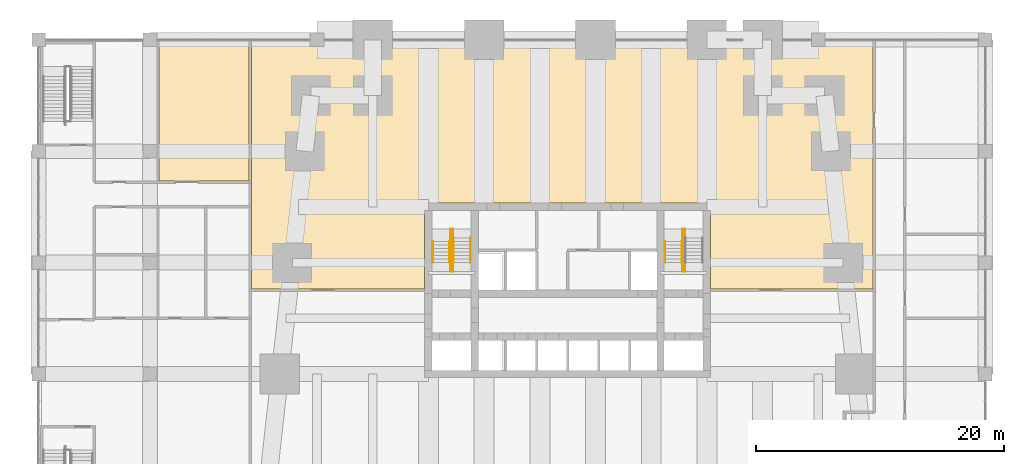
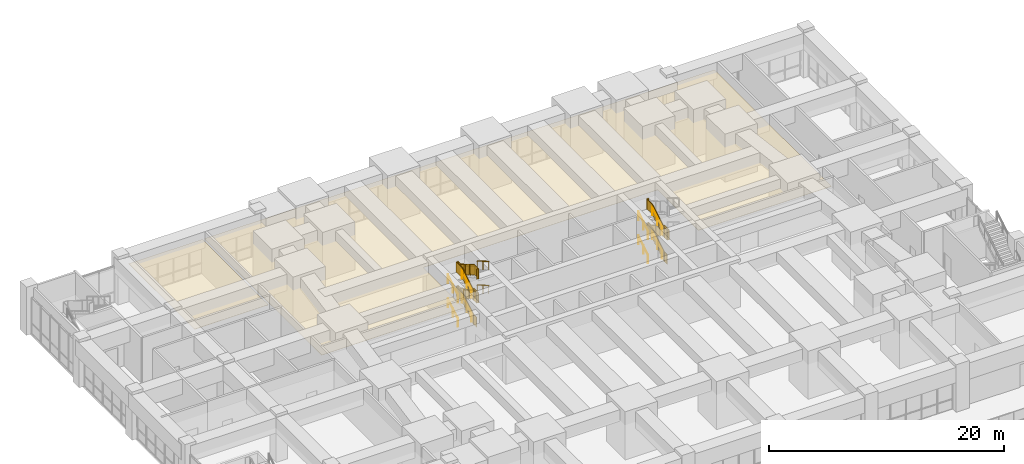
# One storey, part 26 of 27: 19 railings, 2 coverings.
"""IFC4 building model written with IfcOpenShell, lengths in metres."""

from ifc_helpers import new_model, si_unit, direction, frame, origin, origin_2d, place, context, subcontext, project, spatial, polyline, circle, outline, extrude, material, layer, layer_set, type_object, element, save


model = new_model("IFC4")

# Units and contexts
model_context = context("Model", 3, precision=1e-05, world=origin(), true_north=direction((0.0, 1.0)))
body_context = subcontext(model_context, "Body", "Model", "MODEL_VIEW")
ifc_project = project(units=[si_unit("LENGTHUNIT", "METRE"), si_unit("AREAUNIT", "SQUARE_METRE"), si_unit("VOLUMEUNIT", "CUBIC_METRE"), si_unit("PLANEANGLEUNIT", "RADIAN"), si_unit("MASSUNIT", "GRAM", prefix="KILO")], contexts=[model_context])

# Site, building, storey
site_placement = place(None, origin())
site = spatial("IfcSite", under=ifc_project, at=site_placement, CompositionType="ELEMENT")
building_placement = place(site_placement, origin())
building = spatial("IfcBuilding", under=site, at=building_placement, Name="Kilele Tower Hotel", CompositionType="ELEMENT")
storey_placement = place(building_placement, frame((0.0, 0.0, 6.0)))
storey = spatial("IfcBuildingStorey", under=building, at=storey_placement, Name="L01", CompositionType="ELEMENT", Elevation=6.0)

# Railings
ifc_material_1 = material(Name="Steel handrail", Category="steel")
railing_type_1 = type_object("IfcRailingType", Name="Handrail 900", PredefinedType="HANDRAIL", material=ifc_material_1)
for number, where, name in (
    (1, (13.85009765625, 22.52001953125, 0.166748046875), "Handrail ST1 flight 1"),
    (2, (15.22509765625, 22.52001953125, 0.166748046875), "Handrail ST1 flight 1"),
):
    element("IfcRailing", number, at=place(storey_placement, frame(where)), inside=storey, type_object=railing_type_1, Name=name, PredefinedType="HANDRAIL", context=body_context, shape_type="SweptSolid", body=[
        extrude(circle(Radius=0.02490234375, at=origin_2d()), frame((0.0, 0.0, 0.875), z_axis=(0.0, 0.859283736677, 0.511499227646), x_axis=(-1.0, 0.0, 0.0)), (0.0, 0.0, 1.0), 1.955078125),
        extrude(circle(Radius=0.02001953125, at=origin_2d()), origin(), (0.0, 0.0, 1.0), 0.849853515625),
        extrude(circle(Radius=0.02001953125, at=origin_2d()), frame((0.0, 0.83984375, 0.5)), (0.0, 0.0, 1.0), 0.849853515625),
        extrude(circle(Radius=0.02001953125, at=origin_2d()), frame((0.0, 1.679931640625, 1.0)), (0.0, 0.0, 1.0), 0.849853515625),
    ])
for number, where, name in (
    (3, (15.52490234375, 24.47998046875, 1.333251953125), "Handrail ST1 flight 2"),
    (4, (16.89990234375, 24.47998046875, 1.333251953125), "Handrail ST1 flight 2"),
):
    element("IfcRailing", number, at=place(storey_placement, frame(where)), inside=storey, type_object=railing_type_1, Name=name, PredefinedType="HANDRAIL", context=body_context, shape_type="SweptSolid", body=[
        extrude(circle(Radius=0.02490234375, at=origin_2d()), frame((0.0, 0.0, 0.875), z_axis=(0.0, -0.859272722373, 0.511517730471), x_axis=(1.0, 0.0, 0.0)), (0.0, 0.0, 1.0), 2.281005859375),
        extrude(circle(Radius=0.02001953125, at=origin_2d()), origin(), (0.0, 0.0, 1.0), 0.849853515625),
        extrude(circle(Radius=0.02001953125, at=origin_2d()), frame((0.0, -0.97998046875, 0.58349609375)), (0.0, 0.0, 1.0), 0.849853515625),
        extrude(circle(Radius=0.02001953125, at=origin_2d()), frame((0.0, -1.9599609375, 1.166748046875)), (0.0, 0.0, 1.0), 0.849853515625),
    ])
for number, where, name in (
    (5, (13.85009765625, 22.52001953125, 2.666748046875), "Handrail ST1 flight 3"),
    (6, (15.22509765625, 22.52001953125, 2.666748046875), "Handrail ST1 flight 3"),
):
    element("IfcRailing", number, at=place(storey_placement, frame(where)), inside=storey, type_object=railing_type_1, Name=name, PredefinedType="HANDRAIL", context=body_context, shape_type="SweptSolid", body=[
        extrude(circle(Radius=0.02490234375, at=origin_2d()), frame((0.0, 0.0, 0.875), z_axis=(0.0, 0.859283736677, 0.511499227646), x_axis=(-1.0, 0.0, 0.0)), (0.0, 0.0, 1.0), 1.955078125),
        extrude(circle(Radius=0.02001953125, at=origin_2d()), origin(), (0.0, 0.0, 1.0), 0.849853515625),
        extrude(circle(Radius=0.02001953125, at=origin_2d()), frame((0.0, 0.83984375, 0.5)), (0.0, 0.0, 1.0), 0.849853515625),
        extrude(circle(Radius=0.02001953125, at=origin_2d()), frame((0.0, 1.679931640625, 1.0)), (0.0, 0.0, 1.0), 0.849853515625),
    ])
for number, where, name in (
    (7, (15.52490234375, 24.47998046875, 3.833251953125), "Handrail ST1 flight 4"),
    (8, (16.89990234375, 24.47998046875, 3.833251953125), "Handrail ST1 flight 4"),
):
    element("IfcRailing", number, at=place(storey_placement, frame(where)), inside=storey, type_object=railing_type_1, Name=name, PredefinedType="HANDRAIL", context=body_context, shape_type="SweptSolid", body=[
        extrude(circle(Radius=0.02490234375, at=origin_2d()), frame((0.0, 0.0, 0.875), z_axis=(0.0, -0.859272722373, 0.511517730471), x_axis=(1.0, 0.0, 0.0)), (0.0, 0.0, 1.0), 2.281005859375),
        extrude(circle(Radius=0.02001953125, at=origin_2d()), origin(), (0.0, 0.0, 1.0), 0.849853515625),
        extrude(circle(Radius=0.02001953125, at=origin_2d()), frame((0.0, -0.97998046875, 0.58349609375)), (0.0, 0.0, 1.0), 0.849853515625),
        extrude(circle(Radius=0.02001953125, at=origin_2d()), frame((0.0, -1.9599609375, 1.166748046875)), (0.0, 0.0, 1.0), 0.849853515625),
    ])
for number, where, name in (
    (9, (32.60009765625, 22.52001953125, 0.166748046875), "Handrail ST2 flight 1"),
    (10, (33.97509765625, 22.52001953125, 0.166748046875), "Handrail ST2 flight 1"),
    (11, (32.60009765625, 22.52001953125, 2.666748046875), "Handrail ST2 flight 3"),
    (12, (33.97509765625, 22.52001953125, 2.666748046875), "Handrail ST2 flight 3"),
):
    element("IfcRailing", number, at=place(storey_placement, frame(where)), inside=storey, type_object=railing_type_1, Name=name, PredefinedType="HANDRAIL", context=body_context, shape_type="SweptSolid", body=[
        extrude(circle(Radius=0.02490234375, at=origin_2d()), frame((0.0, 0.0, 0.875), z_axis=(0.0, 0.859283736677, 0.511499227646), x_axis=(-1.0, 0.0, 0.0)), (0.0, 0.0, 1.0), 1.955078125),
        extrude(circle(Radius=0.02001953125, at=origin_2d()), origin(), (0.0, 0.0, 1.0), 0.849853515625),
        extrude(circle(Radius=0.02001953125, at=origin_2d()), frame((0.0, 0.83984375, 0.5)), (0.0, 0.0, 1.0), 0.849853515625),
        extrude(circle(Radius=0.02001953125, at=origin_2d()), frame((0.0, 1.679931640625, 1.0)), (0.0, 0.0, 1.0), 0.849853515625),
    ])
ifc_material_2 = material(Name="Steel guard", Category="steel")
railing_type_2 = type_object("IfcRailingType", Name="Stair guard 1100", PredefinedType="GUARDRAIL", material=ifc_material_2)
railing_1_placement = place(storey_placement, frame((15.284912109375, 21.77490234375, 0.0)))
element("IfcRailing", 13, at=railing_1_placement, inside=storey, type_object=railing_type_2, Name="Stair well guard ST1 flight 1", PredefinedType="GUARDRAIL", context=body_context, shape_type="SweptSolid", body=[
    extrude(circle(Radius=0.02490234375, at=origin_2d()), frame((0.0, 0.0, 1.0751953125), z_axis=(0.0, 1.0, 0.0), x_axis=(-1.0, 0.0, 0.0)), (0.0, 0.0, 1.0), 0.465087890625),
    extrude(circle(Radius=0.02490234375, at=origin_2d()), frame((0.0, 0.465087890625, 1.0751953125), z_axis=(0.0, 0.859272722373, 0.511517730471), x_axis=(-1.0, 0.0, 0.0)), (0.0, 0.0, 1.0), 2.281005859375),
    extrude(circle(Radius=0.02490234375, at=origin_2d()), frame((0.0, 2.425048828125, 2.24169921875), z_axis=(0.0, 1.0, 0.0), x_axis=(-1.0, 0.0, 0.0)), (0.0, 0.0, 1.0), 1.025146484375),
    extrude(circle(Radius=0.02490234375, at=origin_2d()), frame((0.0, 3.4501953125, 2.24169921875), z_axis=(1.0, 0.0, 0.0), x_axis=(0.0, 1.0, 0.0)), (0.0, 0.0, 1.0), 0.18017578125),
    extrude(circle(Radius=0.02490234375, at=origin_2d()), origin(), (0.0, 0.0, 1.0), 1.050048828125),
    extrude(circle(Radius=0.02490234375, at=origin_2d()), frame((0.0, 0.465087890625, 0.0)), (0.0, 0.0, 1.0), 1.050048828125),
    extrude(circle(Radius=0.02490234375, at=origin_2d()), frame((0.0, 1.445068359375, 0.58349609375)), (0.0, 0.0, 1.0), 1.050048828125),
    extrude(circle(Radius=0.02490234375, at=origin_2d()), frame((0.0, 2.425048828125, 1.166748046875)), (0.0, 0.0, 1.0), 1.050048828125),
    extrude(circle(Radius=0.02490234375, at=origin_2d()), frame((0.0, 3.4501953125, 1.166748046875)), (0.0, 0.0, 1.0), 1.050048828125),
    extrude(circle(Radius=0.02490234375, at=origin_2d()), frame((0.18017578125, 3.4501953125, 1.166748046875)), (0.0, 0.0, 1.0), 1.050048828125),
    extrude(outline(polyline([(0.0, 0.030029296875), (0.45263671875, 0.030029296875), (0.45263671875, 1.050048828125), (0.0, 1.050048828125), (0.0, 0.030029296875)])), frame((-0.005859375, 0.0, 0.0), z_axis=(1.0, 0.0, 0.0), x_axis=(0.0, 1.0, 0.0)), (0.0, 0.0, 1.0), 0.011962890625),
    extrude(outline(polyline([(0.012451171875, 0.030029296875), (0.25, 0.030029296875), (0.25, 0.19677734375), (0.530029296875, 0.19677734375), (0.530029296875, 0.36328125), (0.81005859375, 0.36328125), (0.81005859375, 0.530029296875), (1.08984375, 0.530029296875), (1.08984375, 0.69677734375), (1.369873046875, 0.69677734375), (1.369873046875, 0.863525390625), (1.64990234375, 0.863525390625), (1.64990234375, 1.030029296875), (1.929931640625, 1.030029296875), (1.929931640625, 1.19677734375), (1.947509765625, 1.19677734375), (1.947509765625, 2.205322265625), (0.012451171875, 1.053466796875), (0.012451171875, 0.030029296875)])), frame((-0.005859375, 0.465087890625, 0.0), z_axis=(1.0, 0.0, 0.0), x_axis=(0.0, 1.0, 0.0)), (0.0, 0.0, 1.0), 0.011962890625),
    extrude(outline(polyline([(0.012451171875, 0.030029296875), (1.0126953125, 0.030029296875), (1.0126953125, 1.050048828125), (0.012451171875, 1.050048828125), (0.012451171875, 0.030029296875)])), frame((-0.005859375, 2.425048828125, 1.166748046875), z_axis=(1.0, 0.0, 0.0), x_axis=(0.0, 1.0, 0.0)), (0.0, 0.0, 1.0), 0.011962890625),
    extrude(outline(polyline([(0.012451171875, 0.030029296875), (0.18017578125, 0.030029296875), (0.18017578125, 1.050048828125), (0.012451171875, 1.050048828125), (0.012451171875, 0.030029296875)])), frame((0.0, 3.4560546875, 1.166748046875), z_axis=(0.0, -1.0, 0.0), x_axis=(1.0, 0.0, 0.0)), (0.0, 0.0, 1.0), 0.011962890625),
])
railing_2_placement = place(storey_placement, frame((15.465087890625, 25.22509765625, 1.166748046875)))
element("IfcRailing", 14, at=railing_2_placement, inside=storey, type_object=railing_type_2, Name="Stair well guard ST1 flight 2", PredefinedType="GUARDRAIL", context=body_context, shape_type="SweptSolid", body=[
    extrude(circle(Radius=0.02490234375, at=origin_2d()), frame((0.0, 0.0, 1.0751953125), z_axis=(0.0, -1.0, 0.0), x_axis=(1.0, 0.0, 0.0)), (0.0, 0.0, 1.0), 0.465087890625),
    extrude(circle(Radius=0.02490234375, at=origin_2d()), frame((0.0, -0.465087890625, 1.0751953125), z_axis=(0.0, -0.859305625298, 0.511462454469), x_axis=(1.0, 0.0, 0.0)), (0.0, 0.0, 1.0), 2.606689453125),
    extrude(circle(Radius=0.02490234375, at=origin_2d()), frame((0.0, -2.705078125, 2.408203125), z_axis=(0.0, -1.0, 0.0), x_axis=(1.0, 0.0, 0.0)), (0.0, 0.0, 1.0), 0.7451171875),
    extrude(circle(Radius=0.02490234375, at=origin_2d()), frame((0.0, -3.4501953125, 2.408203125), z_axis=(-1.0, 0.0, 0.0), x_axis=(0.0, -1.0, 0.0)), (0.0, 0.0, 1.0), 0.18017578125),
    extrude(circle(Radius=0.02490234375, at=origin_2d()), origin(), (0.0, 0.0, 1.0), 1.050048828125),
    extrude(circle(Radius=0.02490234375, at=origin_2d()), frame((0.0, -0.465087890625, 0.0)), (0.0, 0.0, 1.0), 1.050048828125),
    extrude(circle(Radius=0.02490234375, at=origin_2d()), frame((0.0, -1.211669921875, 0.4443359375)), (0.0, 0.0, 1.0), 1.050048828125),
    extrude(circle(Radius=0.02490234375, at=origin_2d()), frame((0.0, -1.95849609375, 0.888916015625)), (0.0, 0.0, 1.0), 1.050048828125),
    extrude(circle(Radius=0.02490234375, at=origin_2d()), frame((0.0, -2.705078125, 1.333251953125)), (0.0, 0.0, 1.0), 1.050048828125),
    extrude(circle(Radius=0.02490234375, at=origin_2d()), frame((0.0, -3.4501953125, 1.333251953125)), (0.0, 0.0, 1.0), 1.050048828125),
    extrude(circle(Radius=0.02490234375, at=origin_2d()), frame((-0.18017578125, -3.4501953125, 1.333251953125)), (0.0, 0.0, 1.0), 1.050048828125),
    extrude(outline(polyline([(0.0, 0.030029296875), (0.45263671875, 0.030029296875), (0.45263671875, 1.050048828125), (0.0, 1.050048828125), (0.0, 0.030029296875)])), frame((0.005859375, 0.0, 0.0), z_axis=(-1.0, 0.0, 0.0), x_axis=(0.0, -1.0, 0.0)), (0.0, 0.0, 1.0), 0.011962890625),
    extrude(outline(polyline([(0.012451171875, 0.030029296875), (0.25, 0.030029296875), (0.25, 0.19677734375), (0.530029296875, 0.19677734375), (0.530029296875, 0.36328125), (0.81005859375, 0.36328125), (0.81005859375, 0.530029296875), (1.08984375, 0.530029296875), (1.08984375, 0.69677734375), (1.369873046875, 0.69677734375), (1.369873046875, 0.86328125), (1.64990234375, 0.86328125), (1.64990234375, 1.030029296875), (1.929931640625, 1.030029296875), (1.929931640625, 1.196533203125), (2.2099609375, 1.196533203125), (2.2099609375, 1.36328125), (2.2275390625, 1.36328125), (2.2275390625, 2.371826171875), (0.012451171875, 1.053466796875), (0.012451171875, 0.030029296875)])), frame((0.005859375, -0.465087890625, 0.0), z_axis=(-1.0, 0.0, 0.0), x_axis=(0.0, -1.0, 0.0)), (0.0, 0.0, 1.0), 0.011962890625),
    extrude(outline(polyline([(0.012451171875, 0.030029296875), (0.732666015625, 0.030029296875), (0.732666015625, 1.050048828125), (0.012451171875, 1.050048828125), (0.012451171875, 0.030029296875)])), frame((0.005859375, -2.705078125, 1.333251953125), z_axis=(-1.0, 0.0, 0.0), x_axis=(0.0, -1.0, 0.0)), (0.0, 0.0, 1.0), 0.011962890625),
    extrude(outline(polyline([(0.012451171875, 0.030029296875), (0.18017578125, 0.030029296875), (0.18017578125, 1.050048828125), (0.012451171875, 1.050048828125), (0.012451171875, 0.030029296875)])), frame((0.0, -3.4560546875, 1.333251953125), z_axis=(0.0, 1.0, 0.0), x_axis=(-1.0, 0.0, 0.0)), (0.0, 0.0, 1.0), 0.011962890625),
])
railing_3_placement = place(storey_placement, frame((15.284912109375, 21.77490234375, 2.5)))
element("IfcRailing", 15, at=railing_3_placement, inside=storey, type_object=railing_type_2, Name="Stair well guard ST1 flight 3", PredefinedType="GUARDRAIL", context=body_context, shape_type="SweptSolid", body=[
    extrude(circle(Radius=0.02490234375, at=origin_2d()), frame((0.0, 0.0, 1.0751953125), z_axis=(0.0, 1.0, 0.0), x_axis=(-1.0, 0.0, 0.0)), (0.0, 0.0, 1.0), 0.465087890625),
    extrude(circle(Radius=0.02490234375, at=origin_2d()), frame((0.0, 0.465087890625, 1.0751953125), z_axis=(0.0, 0.859272722373, 0.511517730471), x_axis=(-1.0, 0.0, 0.0)), (0.0, 0.0, 1.0), 2.281005859375),
    extrude(circle(Radius=0.02490234375, at=origin_2d()), frame((0.0, 2.425048828125, 2.24169921875), z_axis=(0.0, 1.0, 0.0), x_axis=(-1.0, 0.0, 0.0)), (0.0, 0.0, 1.0), 1.025146484375),
    extrude(circle(Radius=0.02490234375, at=origin_2d()), frame((0.0, 3.4501953125, 2.24169921875), z_axis=(1.0, 0.0, 0.0), x_axis=(0.0, 1.0, 0.0)), (0.0, 0.0, 1.0), 0.18017578125),
    extrude(circle(Radius=0.02490234375, at=origin_2d()), origin(), (0.0, 0.0, 1.0), 1.050048828125),
    extrude(circle(Radius=0.02490234375, at=origin_2d()), frame((0.0, 0.465087890625, 0.0)), (0.0, 0.0, 1.0), 1.050048828125),
    extrude(circle(Radius=0.02490234375, at=origin_2d()), frame((0.0, 1.445068359375, 0.58349609375)), (0.0, 0.0, 1.0), 1.050048828125),
    extrude(circle(Radius=0.02490234375, at=origin_2d()), frame((0.0, 2.425048828125, 1.166748046875)), (0.0, 0.0, 1.0), 1.050048828125),
    extrude(circle(Radius=0.02490234375, at=origin_2d()), frame((0.0, 3.4501953125, 1.166748046875)), (0.0, 0.0, 1.0), 1.050048828125),
    extrude(circle(Radius=0.02490234375, at=origin_2d()), frame((0.18017578125, 3.4501953125, 1.166748046875)), (0.0, 0.0, 1.0), 1.050048828125),
    extrude(outline(polyline([(0.0, 0.030029296875), (0.45263671875, 0.030029296875), (0.45263671875, 1.050048828125), (0.0, 1.050048828125), (0.0, 0.030029296875)])), frame((-0.005859375, 0.0, 0.0), z_axis=(1.0, 0.0, 0.0), x_axis=(0.0, 1.0, 0.0)), (0.0, 0.0, 1.0), 0.011962890625),
    extrude(outline(polyline([(0.012451171875, 0.030029296875), (0.25, 0.030029296875), (0.25, 0.19677734375), (0.530029296875, 0.19677734375), (0.530029296875, 0.36328125), (0.81005859375, 0.36328125), (0.81005859375, 0.530029296875), (1.08984375, 0.530029296875), (1.08984375, 0.69677734375), (1.369873046875, 0.69677734375), (1.369873046875, 0.863525390625), (1.64990234375, 0.863525390625), (1.64990234375, 1.030029296875), (1.929931640625, 1.030029296875), (1.929931640625, 1.19677734375), (1.947509765625, 1.19677734375), (1.947509765625, 2.205322265625), (0.012451171875, 1.053466796875), (0.012451171875, 0.030029296875)])), frame((-0.005859375, 0.465087890625, 0.0), z_axis=(1.0, 0.0, 0.0), x_axis=(0.0, 1.0, 0.0)), (0.0, 0.0, 1.0), 0.011962890625),
    extrude(outline(polyline([(0.012451171875, 0.030029296875), (1.0126953125, 0.030029296875), (1.0126953125, 1.050048828125), (0.012451171875, 1.050048828125), (0.012451171875, 0.030029296875)])), frame((-0.005859375, 2.425048828125, 1.166748046875), z_axis=(1.0, 0.0, 0.0), x_axis=(0.0, 1.0, 0.0)), (0.0, 0.0, 1.0), 0.011962890625),
    extrude(outline(polyline([(0.012451171875, 0.030029296875), (0.18017578125, 0.030029296875), (0.18017578125, 1.050048828125), (0.012451171875, 1.050048828125), (0.012451171875, 0.030029296875)])), frame((0.0, 3.4560546875, 1.166748046875), z_axis=(0.0, -1.0, 0.0), x_axis=(1.0, 0.0, 0.0)), (0.0, 0.0, 1.0), 0.011962890625),
])
railing_4_placement = place(storey_placement, frame((15.465087890625, 25.22509765625, 3.666748046875)))
element("IfcRailing", 16, at=railing_4_placement, inside=storey, type_object=railing_type_2, Name="Stair well guard ST1 flight 4", PredefinedType="GUARDRAIL", context=body_context, shape_type="SweptSolid", body=[
    extrude(circle(Radius=0.02490234375, at=origin_2d()), frame((0.0, 0.0, 1.0751953125), z_axis=(0.0, -1.0, 0.0), x_axis=(1.0, 0.0, 0.0)), (0.0, 0.0, 1.0), 0.465087890625),
    extrude(circle(Radius=0.02490234375, at=origin_2d()), frame((0.0, -0.465087890625, 1.0751953125), z_axis=(0.0, -0.859305625298, 0.511462454469), x_axis=(1.0, 0.0, 0.0)), (0.0, 0.0, 1.0), 2.606689453125),
    extrude(circle(Radius=0.02490234375, at=origin_2d()), frame((0.0, -2.705078125, 2.408203125), z_axis=(0.0, -1.0, 0.0), x_axis=(1.0, 0.0, 0.0)), (0.0, 0.0, 1.0), 0.7451171875),
    extrude(circle(Radius=0.02490234375, at=origin_2d()), frame((0.0, -3.4501953125, 2.408203125), z_axis=(-1.0, 0.0, 0.0), x_axis=(0.0, -1.0, 0.0)), (0.0, 0.0, 1.0), 0.18017578125),
    extrude(circle(Radius=0.02490234375, at=origin_2d()), origin(), (0.0, 0.0, 1.0), 1.050048828125),
    extrude(circle(Radius=0.02490234375, at=origin_2d()), frame((0.0, -0.465087890625, 0.0)), (0.0, 0.0, 1.0), 1.050048828125),
    extrude(circle(Radius=0.02490234375, at=origin_2d()), frame((0.0, -1.211669921875, 0.4443359375)), (0.0, 0.0, 1.0), 1.050048828125),
    extrude(circle(Radius=0.02490234375, at=origin_2d()), frame((0.0, -1.95849609375, 0.888916015625)), (0.0, 0.0, 1.0), 1.050048828125),
    extrude(circle(Radius=0.02490234375, at=origin_2d()), frame((0.0, -2.705078125, 1.333251953125)), (0.0, 0.0, 1.0), 1.050048828125),
    extrude(circle(Radius=0.02490234375, at=origin_2d()), frame((0.0, -3.4501953125, 1.333251953125)), (0.0, 0.0, 1.0), 1.050048828125),
    extrude(circle(Radius=0.02490234375, at=origin_2d()), frame((-0.18017578125, -3.4501953125, 1.333251953125)), (0.0, 0.0, 1.0), 1.050048828125),
    extrude(outline(polyline([(0.0, 0.030029296875), (0.45263671875, 0.030029296875), (0.45263671875, 1.050048828125), (0.0, 1.050048828125), (0.0, 0.030029296875)])), frame((0.005859375, 0.0, 0.0), z_axis=(-1.0, 0.0, 0.0), x_axis=(0.0, -1.0, 0.0)), (0.0, 0.0, 1.0), 0.011962890625),
    extrude(outline(polyline([(0.012451171875, 0.030029296875), (0.25, 0.030029296875), (0.25, 0.19677734375), (0.530029296875, 0.19677734375), (0.530029296875, 0.36328125), (0.81005859375, 0.36328125), (0.81005859375, 0.530029296875), (1.08984375, 0.530029296875), (1.08984375, 0.69677734375), (1.369873046875, 0.69677734375), (1.369873046875, 0.86328125), (1.64990234375, 0.86328125), (1.64990234375, 1.030029296875), (1.929931640625, 1.030029296875), (1.929931640625, 1.196533203125), (2.2099609375, 1.196533203125), (2.2099609375, 1.36328125), (2.2275390625, 1.36328125), (2.2275390625, 2.371826171875), (0.012451171875, 1.053466796875), (0.012451171875, 0.030029296875)])), frame((0.005859375, -0.465087890625, 0.0), z_axis=(-1.0, 0.0, 0.0), x_axis=(0.0, -1.0, 0.0)), (0.0, 0.0, 1.0), 0.011962890625),
    extrude(outline(polyline([(0.012451171875, 0.030029296875), (0.732666015625, 0.030029296875), (0.732666015625, 1.050048828125), (0.012451171875, 1.050048828125), (0.012451171875, 0.030029296875)])), frame((0.005859375, -2.705078125, 1.333251953125), z_axis=(-1.0, 0.0, 0.0), x_axis=(0.0, -1.0, 0.0)), (0.0, 0.0, 1.0), 0.011962890625),
    extrude(outline(polyline([(0.012451171875, 0.030029296875), (0.18017578125, 0.030029296875), (0.18017578125, 1.050048828125), (0.012451171875, 1.050048828125), (0.012451171875, 0.030029296875)])), frame((0.0, -3.4560546875, 1.333251953125), z_axis=(0.0, 1.0, 0.0), x_axis=(-1.0, 0.0, 0.0)), (0.0, 0.0, 1.0), 0.011962890625),
])
railing_5_placement = place(storey_placement, frame((34.034912109375, 21.77490234375, 0.0)))
element("IfcRailing", 17, at=railing_5_placement, inside=storey, type_object=railing_type_2, Name="Stair well guard ST2 flight 1", PredefinedType="GUARDRAIL", context=body_context, shape_type="SweptSolid", body=[
    extrude(circle(Radius=0.02490234375, at=origin_2d()), frame((0.0, 0.0, 1.0751953125), z_axis=(0.0, 1.0, 0.0), x_axis=(-1.0, 0.0, 0.0)), (0.0, 0.0, 1.0), 0.465087890625),
    extrude(circle(Radius=0.02490234375, at=origin_2d()), frame((0.0, 0.465087890625, 1.0751953125), z_axis=(0.0, 0.859272722373, 0.511517730471), x_axis=(-1.0, 0.0, 0.0)), (0.0, 0.0, 1.0), 2.281005859375),
    extrude(circle(Radius=0.02490234375, at=origin_2d()), frame((0.0, 2.425048828125, 2.24169921875), z_axis=(0.0, 1.0, 0.0), x_axis=(-1.0, 0.0, 0.0)), (0.0, 0.0, 1.0), 1.025146484375),
    extrude(circle(Radius=0.02490234375, at=origin_2d()), frame((0.0, 3.4501953125, 2.24169921875), z_axis=(1.0, 0.0, 0.0), x_axis=(0.0, 1.0, 0.0)), (0.0, 0.0, 1.0), 0.18017578125),
    extrude(circle(Radius=0.02490234375, at=origin_2d()), origin(), (0.0, 0.0, 1.0), 1.050048828125),
    extrude(circle(Radius=0.02490234375, at=origin_2d()), frame((0.0, 0.465087890625, 0.0)), (0.0, 0.0, 1.0), 1.050048828125),
    extrude(circle(Radius=0.02490234375, at=origin_2d()), frame((0.0, 1.445068359375, 0.58349609375)), (0.0, 0.0, 1.0), 1.050048828125),
    extrude(circle(Radius=0.02490234375, at=origin_2d()), frame((0.0, 2.425048828125, 1.166748046875)), (0.0, 0.0, 1.0), 1.050048828125),
    extrude(circle(Radius=0.02490234375, at=origin_2d()), frame((0.0, 3.4501953125, 1.166748046875)), (0.0, 0.0, 1.0), 1.050048828125),
    extrude(circle(Radius=0.02490234375, at=origin_2d()), frame((0.18017578125, 3.4501953125, 1.166748046875)), (0.0, 0.0, 1.0), 1.050048828125),
    extrude(outline(polyline([(0.0, 0.030029296875), (0.45263671875, 0.030029296875), (0.45263671875, 1.050048828125), (0.0, 1.050048828125), (0.0, 0.030029296875)])), frame((-0.005859375, 0.0, 0.0), z_axis=(1.0, 0.0, 0.0), x_axis=(0.0, 1.0, 0.0)), (0.0, 0.0, 1.0), 0.011962890625),
    extrude(outline(polyline([(0.012451171875, 0.030029296875), (0.25, 0.030029296875), (0.25, 0.19677734375), (0.530029296875, 0.19677734375), (0.530029296875, 0.36328125), (0.81005859375, 0.36328125), (0.81005859375, 0.530029296875), (1.08984375, 0.530029296875), (1.08984375, 0.69677734375), (1.369873046875, 0.69677734375), (1.369873046875, 0.863525390625), (1.64990234375, 0.863525390625), (1.64990234375, 1.030029296875), (1.929931640625, 1.030029296875), (1.929931640625, 1.19677734375), (1.947509765625, 1.19677734375), (1.947509765625, 2.205322265625), (0.012451171875, 1.053466796875), (0.012451171875, 0.030029296875)])), frame((-0.005859375, 0.465087890625, 0.0), z_axis=(1.0, 0.0, 0.0), x_axis=(0.0, 1.0, 0.0)), (0.0, 0.0, 1.0), 0.011962890625),
    extrude(outline(polyline([(0.012451171875, 0.030029296875), (1.0126953125, 0.030029296875), (1.0126953125, 1.050048828125), (0.012451171875, 1.050048828125), (0.012451171875, 0.030029296875)])), frame((-0.005859375, 2.425048828125, 1.166748046875), z_axis=(1.0, 0.0, 0.0), x_axis=(0.0, 1.0, 0.0)), (0.0, 0.0, 1.0), 0.011962890625),
    extrude(outline(polyline([(0.012451171875, 0.030029296875), (0.18017578125, 0.030029296875), (0.18017578125, 1.050048828125), (0.012451171875, 1.050048828125), (0.012451171875, 0.030029296875)])), frame((0.0, 3.4560546875, 1.166748046875), z_axis=(0.0, -1.0, 0.0), x_axis=(1.0, 0.0, 0.0)), (0.0, 0.0, 1.0), 0.011962890625),
])
railing_6_placement = place(storey_placement, frame((34.215087890625, 25.22509765625, 1.166748046875)))
element("IfcRailing", 18, at=railing_6_placement, inside=storey, type_object=railing_type_2, Name="Stair well guard ST2 flight 2", PredefinedType="GUARDRAIL", context=body_context, shape_type="SweptSolid", body=[
    extrude(circle(Radius=0.02490234375, at=origin_2d()), frame((0.0, 0.0, 1.0751953125), z_axis=(0.0, -1.0, 0.0), x_axis=(1.0, 0.0, 0.0)), (0.0, 0.0, 1.0), 0.465087890625),
    extrude(circle(Radius=0.02490234375, at=origin_2d()), frame((0.0, -0.465087890625, 1.0751953125), z_axis=(0.0, -0.859305625298, 0.511462454469), x_axis=(1.0, 0.0, 0.0)), (0.0, 0.0, 1.0), 2.606689453125),
    extrude(circle(Radius=0.02490234375, at=origin_2d()), frame((0.0, -2.705078125, 2.408203125), z_axis=(0.0, -1.0, 0.0), x_axis=(1.0, 0.0, 0.0)), (0.0, 0.0, 1.0), 0.7451171875),
    extrude(circle(Radius=0.02490234375, at=origin_2d()), frame((0.0, -3.4501953125, 2.408203125), z_axis=(-1.0, 0.0, 0.0), x_axis=(0.0, -1.0, 0.0)), (0.0, 0.0, 1.0), 0.18017578125),
    extrude(circle(Radius=0.02490234375, at=origin_2d()), origin(), (0.0, 0.0, 1.0), 1.050048828125),
    extrude(circle(Radius=0.02490234375, at=origin_2d()), frame((0.0, -0.465087890625, 0.0)), (0.0, 0.0, 1.0), 1.050048828125),
    extrude(circle(Radius=0.02490234375, at=origin_2d()), frame((0.0, -1.211669921875, 0.4443359375)), (0.0, 0.0, 1.0), 1.050048828125),
    extrude(circle(Radius=0.02490234375, at=origin_2d()), frame((0.0, -1.95849609375, 0.888916015625)), (0.0, 0.0, 1.0), 1.050048828125),
    extrude(circle(Radius=0.02490234375, at=origin_2d()), frame((0.0, -2.705078125, 1.333251953125)), (0.0, 0.0, 1.0), 1.050048828125),
    extrude(circle(Radius=0.02490234375, at=origin_2d()), frame((0.0, -3.4501953125, 1.333251953125)), (0.0, 0.0, 1.0), 1.050048828125),
    extrude(circle(Radius=0.02490234375, at=origin_2d()), frame((-0.18017578125, -3.4501953125, 1.333251953125)), (0.0, 0.0, 1.0), 1.050048828125),
    extrude(outline(polyline([(0.0, 0.030029296875), (0.45263671875, 0.030029296875), (0.45263671875, 1.050048828125), (0.0, 1.050048828125), (0.0, 0.030029296875)])), frame((0.005859375, 0.0, 0.0), z_axis=(-1.0, 0.0, 0.0), x_axis=(0.0, -1.0, 0.0)), (0.0, 0.0, 1.0), 0.011962890625),
    extrude(outline(polyline([(0.012451171875, 0.030029296875), (0.25, 0.030029296875), (0.25, 0.19677734375), (0.530029296875, 0.19677734375), (0.530029296875, 0.36328125), (0.81005859375, 0.36328125), (0.81005859375, 0.530029296875), (1.08984375, 0.530029296875), (1.08984375, 0.69677734375), (1.369873046875, 0.69677734375), (1.369873046875, 0.86328125), (1.64990234375, 0.86328125), (1.64990234375, 1.030029296875), (1.929931640625, 1.030029296875), (1.929931640625, 1.196533203125), (2.2099609375, 1.196533203125), (2.2099609375, 1.36328125), (2.2275390625, 1.36328125), (2.2275390625, 2.371826171875), (0.012451171875, 1.053466796875), (0.012451171875, 0.030029296875)])), frame((0.005859375, -0.465087890625, 0.0), z_axis=(-1.0, 0.0, 0.0), x_axis=(0.0, -1.0, 0.0)), (0.0, 0.0, 1.0), 0.011962890625),
    extrude(outline(polyline([(0.012451171875, 0.030029296875), (0.732666015625, 0.030029296875), (0.732666015625, 1.050048828125), (0.012451171875, 1.050048828125), (0.012451171875, 0.030029296875)])), frame((0.005859375, -2.705078125, 1.333251953125), z_axis=(-1.0, 0.0, 0.0), x_axis=(0.0, -1.0, 0.0)), (0.0, 0.0, 1.0), 0.011962890625),
    extrude(outline(polyline([(0.012451171875, 0.030029296875), (0.18017578125, 0.030029296875), (0.18017578125, 1.050048828125), (0.012451171875, 1.050048828125), (0.012451171875, 0.030029296875)])), frame((0.0, -3.4560546875, 1.333251953125), z_axis=(0.0, 1.0, 0.0), x_axis=(-1.0, 0.0, 0.0)), (0.0, 0.0, 1.0), 0.011962890625),
])
railing_7_placement = place(storey_placement, frame((34.034912109375, 21.77490234375, 2.5)))
element("IfcRailing", 19, at=railing_7_placement, inside=storey, type_object=railing_type_2, Name="Stair well guard ST2 flight 3", PredefinedType="GUARDRAIL", context=body_context, shape_type="SweptSolid", body=[
    extrude(circle(Radius=0.02490234375, at=origin_2d()), frame((0.0, 0.0, 1.0751953125), z_axis=(0.0, 1.0, 0.0), x_axis=(-1.0, 0.0, 0.0)), (0.0, 0.0, 1.0), 0.465087890625),
    extrude(circle(Radius=0.02490234375, at=origin_2d()), frame((0.0, 0.465087890625, 1.0751953125), z_axis=(0.0, 0.859272722373, 0.511517730471), x_axis=(-1.0, 0.0, 0.0)), (0.0, 0.0, 1.0), 2.281005859375),
    extrude(circle(Radius=0.02490234375, at=origin_2d()), frame((0.0, 2.425048828125, 2.24169921875), z_axis=(0.0, 1.0, 0.0), x_axis=(-1.0, 0.0, 0.0)), (0.0, 0.0, 1.0), 1.025146484375),
    extrude(circle(Radius=0.02490234375, at=origin_2d()), frame((0.0, 3.4501953125, 2.24169921875), z_axis=(1.0, 0.0, 0.0), x_axis=(0.0, 1.0, 0.0)), (0.0, 0.0, 1.0), 0.18017578125),
    extrude(circle(Radius=0.02490234375, at=origin_2d()), origin(), (0.0, 0.0, 1.0), 1.050048828125),
    extrude(circle(Radius=0.02490234375, at=origin_2d()), frame((0.0, 0.465087890625, 0.0)), (0.0, 0.0, 1.0), 1.050048828125),
    extrude(circle(Radius=0.02490234375, at=origin_2d()), frame((0.0, 1.445068359375, 0.58349609375)), (0.0, 0.0, 1.0), 1.050048828125),
    extrude(circle(Radius=0.02490234375, at=origin_2d()), frame((0.0, 2.425048828125, 1.166748046875)), (0.0, 0.0, 1.0), 1.050048828125),
    extrude(circle(Radius=0.02490234375, at=origin_2d()), frame((0.0, 3.4501953125, 1.166748046875)), (0.0, 0.0, 1.0), 1.050048828125),
    extrude(circle(Radius=0.02490234375, at=origin_2d()), frame((0.18017578125, 3.4501953125, 1.166748046875)), (0.0, 0.0, 1.0), 1.050048828125),
    extrude(outline(polyline([(0.0, 0.030029296875), (0.45263671875, 0.030029296875), (0.45263671875, 1.050048828125), (0.0, 1.050048828125), (0.0, 0.030029296875)])), frame((-0.005859375, 0.0, 0.0), z_axis=(1.0, 0.0, 0.0), x_axis=(0.0, 1.0, 0.0)), (0.0, 0.0, 1.0), 0.011962890625),
    extrude(outline(polyline([(0.012451171875, 0.030029296875), (0.25, 0.030029296875), (0.25, 0.19677734375), (0.530029296875, 0.19677734375), (0.530029296875, 0.36328125), (0.81005859375, 0.36328125), (0.81005859375, 0.530029296875), (1.08984375, 0.530029296875), (1.08984375, 0.69677734375), (1.369873046875, 0.69677734375), (1.369873046875, 0.863525390625), (1.64990234375, 0.863525390625), (1.64990234375, 1.030029296875), (1.929931640625, 1.030029296875), (1.929931640625, 1.19677734375), (1.947509765625, 1.19677734375), (1.947509765625, 2.205322265625), (0.012451171875, 1.053466796875), (0.012451171875, 0.030029296875)])), frame((-0.005859375, 0.465087890625, 0.0), z_axis=(1.0, 0.0, 0.0), x_axis=(0.0, 1.0, 0.0)), (0.0, 0.0, 1.0), 0.011962890625),
    extrude(outline(polyline([(0.012451171875, 0.030029296875), (1.0126953125, 0.030029296875), (1.0126953125, 1.050048828125), (0.012451171875, 1.050048828125), (0.012451171875, 0.030029296875)])), frame((-0.005859375, 2.425048828125, 1.166748046875), z_axis=(1.0, 0.0, 0.0), x_axis=(0.0, 1.0, 0.0)), (0.0, 0.0, 1.0), 0.011962890625),
    extrude(outline(polyline([(0.012451171875, 0.030029296875), (0.18017578125, 0.030029296875), (0.18017578125, 1.050048828125), (0.012451171875, 1.050048828125), (0.012451171875, 0.030029296875)])), frame((0.0, 3.4560546875, 1.166748046875), z_axis=(0.0, -1.0, 0.0), x_axis=(1.0, 0.0, 0.0)), (0.0, 0.0, 1.0), 0.011962890625),
])

# Coverings
ifc_material_3 = material(Name="Gypsum board suspended ceiling", Category="gypsum")
ifc_layer = layer(ifc_material_3, 0.02490234375)
ifc_layer_set = layer_set([ifc_layer], Name="Gypsum board suspended ceiling")
covering_type = type_object("IfcCoveringType", Name="Suspended ceiling 25", PredefinedType="CEILING", material=ifc_layer_set)
covering_1_placement = place(storey_placement, frame((0.0, 0.0, 3.60009765625)))
element("IfcCovering", 20, at=covering_1_placement, inside=storey, type_object=covering_type, Name="Suspended ceiling Administration meeting room", PredefinedType="CEILING", context=body_context, shape_type="SweptSolid", body=[
    extrude(outline(polyline([(-1.0, 29.10009765625), (-8.25, 29.10009765625), (-8.25, 40.35009765625), (-1.0, 40.35009765625), (-1.0, 29.10009765625)])), origin(), (0.0, 0.0, 1.0), 0.02490234375),
])
covering_2_placement = place(storey_placement, frame((0.0, 0.0, 3.60009765625)))
element("IfcCovering", 21, at=covering_2_placement, inside=storey, type_object=covering_type, Name="Suspended ceiling Lobby bar", PredefinedType="CEILING", context=body_context, shape_type="SweptSolid", body=[
    extrude(outline(polyline([(-0.800048828125, 40.35009765625), (49.39990234375, 40.35009765625), (49.39990234375, 20.35009765625), (36.300048828125, 20.35009765625), (36.300048828125, 27.300048828125), (13.199951171875, 27.300048828125), (13.199951171875, 20.35009765625), (-0.800048828125, 20.35009765625), (-0.800048828125, 40.35009765625)])), origin(), (0.0, 0.0, 1.0), 0.02490234375),
])

save(model, "model.ifc")
